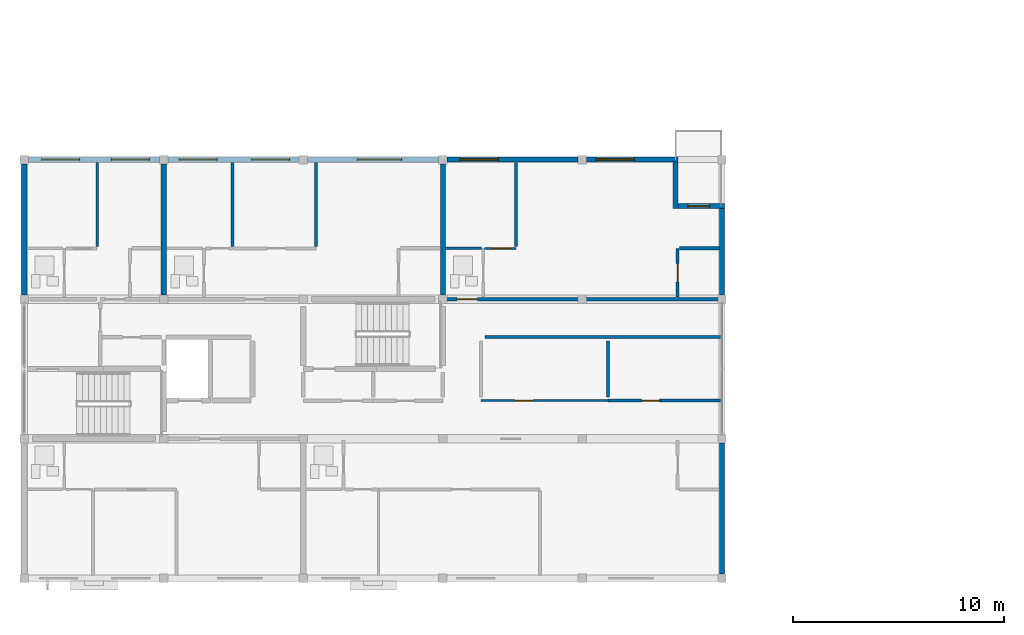
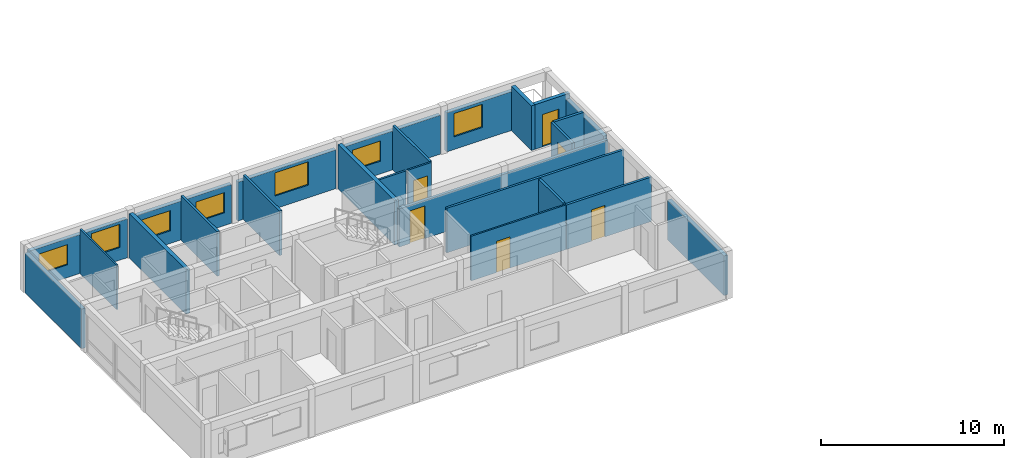
# One storey, part 10 of 15: 25 walls, 7 windows, 6 doors, 13 openings.
"""IFC4 building model written with IfcOpenShell, lengths in metres."""

from ifc_helpers import new_model, si_unit, direction, frame, frame_2d, origin, place, context, subcontext, project, spatial, rectangle, extrude, material, layer, layer_set, type_object, element, fill, save


model = new_model("IFC4")

# Units and contexts
model_context = context("Model", 3, precision=1e-05, world=origin(), true_north=direction((0.0, 1.0)))
body_context = subcontext(model_context, "Body", "Model", "MODEL_VIEW")
ifc_project = project(units=[si_unit("LENGTHUNIT", "METRE"), si_unit("AREAUNIT", "SQUARE_METRE"), si_unit("VOLUMEUNIT", "CUBIC_METRE"), si_unit("PLANEANGLEUNIT", "RADIAN"), si_unit("MASSUNIT", "GRAM", prefix="KILO")], contexts=[model_context])

# Site, building, storey
site_placement = place(None, origin())
site = spatial("IfcSite", under=ifc_project, at=site_placement, CompositionType="ELEMENT")
building_placement = place(site_placement, origin())
building = spatial("IfcBuilding", under=site, at=building_placement, Name="Kernevlak Ridge Housing Community", CompositionType="ELEMENT")
storey_placement = place(building_placement, frame((0.0, 0.0, 50.0)))
storey = spatial("IfcBuildingStorey", under=building, at=storey_placement, Name="L15", CompositionType="ELEMENT", Elevation=50.0)

# Wall, openings, windows
ifc_material_1 = material(Name="Concrete block masonry M10", Category="masonry")
ifc_layer_1 = layer(ifc_material_1, 0.239990234375, Name="Concrete block masonry M10")
ifc_layer_set_1 = layer_set([ifc_layer_1], Name="Concrete block masonry M10")
wall_type_1 = type_object("IfcWallType", Name="EW-06", PredefinedType="STANDARD", material=ifc_layer_set_1)
wall_1_placement = place(storey_placement, frame((15.800048828125, 95.800048828125, 0.0), z_axis=(0.0, 0.0, 1.0), x_axis=(1.0, 0.0, 0.0)))
wall_1 = element("IfcWall", 1, at=wall_1_placement, inside=storey, type_object=wall_type_1, Name="Exterior wall EW-06 L15 242", PredefinedType="STANDARD", context=body_context, shape_type="SweptSolid", body=[
    extrude(rectangle(XDim=6.199951171875, YDim=0.239990234375, at=frame_2d((3.10009765625, 0.0))), origin(), (0.0, 0.0, 1.0), 2.60009765625),
])
opening_1_placement = place(wall_1_placement, frame((0.625, 0.0, 0.85009765625)))
opening_1 = element("IfcOpeningElement", 2, at=opening_1_placement, cuts=wall_1, Name="Opening WT-03", PredefinedType="OPENING", context=body_context, shape_type="SweptSolid", body=[
    extrude(rectangle(XDim=1.800048828125, YDim=1.35009765625, at=frame_2d((0.89990234375, 0.675048828125))), frame((0.0, 0.1298828125, 0.0), z_axis=(0.0, -1.0, 0.0), x_axis=(1.0, 0.0, 0.0)), (0.0, 0.0, 1.0), 0.260009765625),
])
opening_2_placement = place(wall_1_placement, frame((3.925048828125, 0.0, 0.85009765625)))
opening_2 = element("IfcOpeningElement", 3, at=opening_2_placement, cuts=wall_1, Name="Opening WT-04", PredefinedType="OPENING", context=body_context, shape_type="SweptSolid", body=[
    extrude(rectangle(XDim=1.800048828125, YDim=1.550048828125, at=frame_2d((0.89990234375, 0.77490234375))), frame((0.0, 0.1298828125, 0.0), z_axis=(0.0, -1.0, 0.0), x_axis=(1.0, 0.0, 0.0)), (0.0, 0.0, 1.0), 0.260009765625),
])
ifc_material_2 = material(Name="Aluminium EN AW-6060 anodised and laminated glass", Category="aluminium")
window_type_1 = type_object("IfcWindowType", Name="WT-03", PartitioningType="SINGLE_PANEL", PredefinedType="WINDOW", material=ifc_material_2)
window_1_placement = place(opening_1_placement, origin())
window_1 = element("IfcWindow", 4, at=window_1_placement, inside=storey, type_object=window_type_1, Name="Window WT-03 L15 193", OverallHeight=1.35009765625, OverallWidth=1.800048828125, PartitioningType="SINGLE_PANEL", PredefinedType="WINDOW", context=body_context, shape_type="SweptSolid", body=[
    extrude(rectangle(XDim=1.800048828125, YDim=1.35009765625, at=frame_2d((0.89990234375, 0.675048828125))), frame((0.0, 0.030029296875, 0.0), z_axis=(0.0, -1.0, 0.0), x_axis=(1.0, 0.0, 0.0)), (0.0, 0.0, 1.0), 0.06005859375),
])
fill(opening_1, window_1)
window_type_2 = type_object("IfcWindowType", Name="WT-04", PartitioningType="SINGLE_PANEL", PredefinedType="WINDOW", material=ifc_material_2)
window_2_placement = place(opening_2_placement, origin())
window_2 = element("IfcWindow", 5, at=window_2_placement, inside=storey, type_object=window_type_2, Name="Window WT-04 L15 194", OverallHeight=1.550048828125, OverallWidth=1.800048828125, PartitioningType="SINGLE_PANEL", PredefinedType="WINDOW", context=body_context, shape_type="SweptSolid", body=[
    extrude(rectangle(XDim=1.800048828125, YDim=1.550048828125, at=frame_2d((0.89990234375, 0.77490234375))), frame((0.0, 0.030029296875, 0.0), z_axis=(0.0, -1.0, 0.0), x_axis=(1.0, 0.0, 0.0)), (0.0, 0.0, 1.0), 0.06005859375),
])
fill(opening_2, window_2)

wall_2_placement = place(storey_placement, frame((22.39990234375, 95.800048828125, 0.0), z_axis=(0.0, 0.0, 1.0), x_axis=(1.0, 0.0, 0.0)))
wall_2 = element("IfcWall", 6, at=wall_2_placement, inside=storey, type_object=wall_type_1, Name="Exterior wall EW-06 L15 243", PredefinedType="STANDARD", context=body_context, shape_type="SweptSolid", body=[
    extrude(rectangle(XDim=6.2001953125, YDim=0.239990234375, at=frame_2d((3.10009765625, 0.0))), origin(), (0.0, 0.0, 1.0), 2.60009765625),
])
opening_3_placement = place(wall_2_placement, frame((0.52490234375, 0.0, 0.85009765625)))
opening_3 = element("IfcOpeningElement", 7, at=opening_3_placement, cuts=wall_2, Name="Opening WT-03", PredefinedType="OPENING", context=body_context, shape_type="SweptSolid", body=[
    extrude(rectangle(XDim=1.800048828125, YDim=1.35009765625, at=frame_2d((0.89990234375, 0.675048828125))), frame((0.0, 0.1298828125, 0.0), z_axis=(0.0, -1.0, 0.0), x_axis=(1.0, 0.0, 0.0)), (0.0, 0.0, 1.0), 0.260009765625),
])
opening_4_placement = place(wall_2_placement, frame((3.949951171875, 0.0, 0.85009765625)))
opening_4 = element("IfcOpeningElement", 8, at=opening_4_placement, cuts=wall_2, Name="Opening WT-03", PredefinedType="OPENING", context=body_context, shape_type="SweptSolid", body=[
    extrude(rectangle(XDim=1.800048828125, YDim=1.35009765625, at=frame_2d((0.89990234375, 0.675048828125))), frame((0.0, 0.1298828125, 0.0), z_axis=(0.0, -1.0, 0.0), x_axis=(1.0, 0.0, 0.0)), (0.0, 0.0, 1.0), 0.260009765625),
])
window_3_placement = place(opening_3_placement, origin())
window_3 = element("IfcWindow", 9, at=window_3_placement, inside=storey, type_object=window_type_1, Name="Window WT-03 L15 195", OverallHeight=1.35009765625, OverallWidth=1.800048828125, PartitioningType="SINGLE_PANEL", PredefinedType="WINDOW", context=body_context, shape_type="SweptSolid", body=[
    extrude(rectangle(XDim=1.800048828125, YDim=1.35009765625, at=frame_2d((0.89990234375, 0.675048828125))), frame((0.0, 0.030029296875, 0.0), z_axis=(0.0, -1.0, 0.0), x_axis=(1.0, 0.0, 0.0)), (0.0, 0.0, 1.0), 0.06005859375),
])
fill(opening_3, window_3)
window_4_placement = place(opening_4_placement, origin())
window_4 = element("IfcWindow", 10, at=window_4_placement, inside=storey, type_object=window_type_1, Name="Window WT-03 L15 196", OverallHeight=1.35009765625, OverallWidth=1.800048828125, PartitioningType="SINGLE_PANEL", PredefinedType="WINDOW", context=body_context, shape_type="SweptSolid", body=[
    extrude(rectangle(XDim=1.800048828125, YDim=1.35009765625, at=frame_2d((0.89990234375, 0.675048828125))), frame((0.0, 0.030029296875, 0.0), z_axis=(0.0, -1.0, 0.0), x_axis=(1.0, 0.0, 0.0)), (0.0, 0.0, 1.0), 0.06005859375),
])
fill(opening_4, window_4)

# Wall, opening, window
wall_3_placement = place(storey_placement, frame((29.0, 95.800048828125, 0.0), z_axis=(0.0, 0.0, 1.0), x_axis=(1.0, 0.0, 0.0)))
wall_3 = element("IfcWall", 11, at=wall_3_placement, inside=storey, type_object=wall_type_1, Name="Exterior wall EW-06 L15 244", PredefinedType="STANDARD", context=body_context, shape_type="SweptSolid", body=[
    extrude(rectangle(XDim=6.199951171875, YDim=0.239990234375, at=frame_2d((3.10009765625, 0.0))), origin(), (0.0, 0.0, 1.0), 2.60009765625),
])
opening_5_placement = place(wall_3_placement, frame((2.345947265625, 0.0, 0.85009765625)))
opening_5 = element("IfcOpeningElement", 12, at=opening_5_placement, cuts=wall_3, Name="Opening WT-05", PredefinedType="OPENING", context=body_context, shape_type="SweptSolid", body=[
    extrude(rectangle(XDim=2.10009765625, YDim=1.550048828125, at=frame_2d((1.050048828125, 0.77490234375))), frame((0.0, 0.1298828125, 0.0), z_axis=(0.0, -1.0, 0.0), x_axis=(1.0, 0.0, 0.0)), (0.0, 0.0, 1.0), 0.260009765625),
])
window_type_3 = type_object("IfcWindowType", Name="WT-05", PartitioningType="SINGLE_PANEL", PredefinedType="WINDOW", material=ifc_material_2)
window_5_placement = place(opening_5_placement, origin())
window_5 = element("IfcWindow", 13, at=window_5_placement, inside=storey, type_object=window_type_3, Name="Window WT-05 L15 197", OverallHeight=1.550048828125, OverallWidth=2.10009765625, PartitioningType="SINGLE_PANEL", PredefinedType="WINDOW", context=body_context, shape_type="SweptSolid", body=[
    extrude(rectangle(XDim=2.10009765625, YDim=1.550048828125, at=frame_2d((1.050048828125, 0.77490234375))), frame((0.0, 0.030029296875, 0.0), z_axis=(0.0, -1.0, 0.0), x_axis=(1.0, 0.0, 0.0)), (0.0, 0.0, 1.0), 0.06005859375),
])
fill(opening_5, window_5)

wall_4_placement = place(storey_placement, frame((35.60009765625, 95.800048828125, 0.0), z_axis=(0.0, 0.0, 1.0), x_axis=(1.0, 0.0, 0.0)))
wall_4 = element("IfcWall", 14, at=wall_4_placement, inside=storey, type_object=wall_type_1, Name="Exterior wall EW-06 L15 245", PredefinedType="STANDARD", context=body_context, shape_type="SweptSolid", body=[
    extrude(rectangle(XDim=6.199951171875, YDim=0.239990234375, at=frame_2d((3.10009765625, 0.0))), origin(), (0.0, 0.0, 1.0), 2.60009765625),
])
opening_6_placement = place(wall_4_placement, frame((0.625, 0.0, 0.85009765625)))
opening_6 = element("IfcOpeningElement", 15, at=opening_6_placement, cuts=wall_4, Name="Opening WT-03", PredefinedType="OPENING", context=body_context, shape_type="SweptSolid", body=[
    extrude(rectangle(XDim=1.800048828125, YDim=1.35009765625, at=frame_2d((0.89990234375, 0.675048828125))), frame((0.0, 0.1298828125, 0.0), z_axis=(0.0, -1.0, 0.0), x_axis=(1.0, 0.0, 0.0)), (0.0, 0.0, 1.0), 0.260009765625),
])
window_6_placement = place(opening_6_placement, origin())
window_6 = element("IfcWindow", 16, at=window_6_placement, inside=storey, type_object=window_type_1, Name="Window WT-03 L15 198", OverallHeight=1.35009765625, OverallWidth=1.800048828125, PartitioningType="SINGLE_PANEL", PredefinedType="WINDOW", context=body_context, shape_type="SweptSolid", body=[
    extrude(rectangle(XDim=1.800048828125, YDim=1.35009765625, at=frame_2d((0.89990234375, 0.675048828125))), frame((0.0, 0.030029296875, 0.0), z_axis=(0.0, -1.0, 0.0), x_axis=(1.0, 0.0, 0.0)), (0.0, 0.0, 1.0), 0.06005859375),
])
fill(opening_6, window_6)

wall_5_placement = place(storey_placement, frame((42.199951171875, 95.800048828125, 0.0), z_axis=(0.0, 0.0, 1.0), x_axis=(1.0, 0.0, 0.0)))
wall_5 = element("IfcWall", 17, at=wall_5_placement, inside=storey, type_object=wall_type_1, Name="Exterior wall EW-06 L15 246", PredefinedType="STANDARD", context=body_context, shape_type="SweptSolid", body=[
    extrude(rectangle(XDim=4.320068359375, YDim=0.239990234375, at=frame_2d((2.16015625, 0.0))), origin(), (0.0, 0.0, 1.0), 2.60009765625),
])
opening_7_placement = place(wall_5_placement, frame((0.449951171875, 0.0, 0.85009765625)))
opening_7 = element("IfcOpeningElement", 18, at=opening_7_placement, cuts=wall_5, Name="Opening WT-04", PredefinedType="OPENING", context=body_context, shape_type="SweptSolid", body=[
    extrude(rectangle(XDim=1.800048828125, YDim=1.550048828125, at=frame_2d((0.89990234375, 0.77490234375))), frame((0.0, 0.1298828125, 0.0), z_axis=(0.0, -1.0, 0.0), x_axis=(1.0, 0.0, 0.0)), (0.0, 0.0, 1.0), 0.260009765625),
])
window_7_placement = place(opening_7_placement, origin())
window_7 = element("IfcWindow", 19, at=window_7_placement, inside=storey, type_object=window_type_2, Name="Window WT-04 L15 199", OverallHeight=1.550048828125, OverallWidth=1.800048828125, PartitioningType="SINGLE_PANEL", PredefinedType="WINDOW", context=body_context, shape_type="SweptSolid", body=[
    extrude(rectangle(XDim=1.800048828125, YDim=1.550048828125, at=frame_2d((0.89990234375, 0.77490234375))), frame((0.0, 0.030029296875, 0.0), z_axis=(0.0, -1.0, 0.0), x_axis=(1.0, 0.0, 0.0)), (0.0, 0.0, 1.0), 0.06005859375),
])
fill(opening_7, window_7)

# Wall
wall_6_placement = place(storey_placement, frame((46.39990234375, 95.679931640625, 0.0), z_axis=(0.0, 0.0, 1.0), x_axis=(0.0, -1.0, 0.0)))
element("IfcWall", 20, at=wall_6_placement, inside=storey, type_object=wall_type_1, Name="Exterior wall EW-06 L15 247", PredefinedType="STANDARD", context=body_context, shape_type="SweptSolid", body=[
    extrude(rectangle(XDim=2.199951171875, YDim=0.239990234375, at=frame_2d((1.10009765625, 0.0))), origin(), (0.0, 0.0, 1.0), 2.97998046875),
])

# Wall, opening, door
wall_7_placement = place(storey_placement, frame((46.52001953125, 93.60009765625, 0.0), z_axis=(0.0, 0.0, 1.0), x_axis=(1.0, 0.0, 0.0)))
wall_7 = element("IfcWall", 21, at=wall_7_placement, inside=storey, type_object=wall_type_1, Name="Exterior wall EW-06 L15 248", PredefinedType="STANDARD", context=body_context, shape_type="SweptSolid", body=[
    extrude(rectangle(XDim=2.199951171875, YDim=0.239990234375, at=frame_2d((1.10009765625, 0.0))), origin(), (0.0, 0.0, 1.0), 2.97998046875),
])
opening_8_placement = place(wall_7_placement, frame((0.469970703125, 0.0, 0.0)))
opening_8 = element("IfcOpeningElement", 22, at=opening_8_placement, cuts=wall_7, Name="Opening D510", PredefinedType="OPENING", context=body_context, shape_type="SweptSolid", body=[
    extrude(rectangle(XDim=1.02001953125, YDim=2.159912109375, at=frame_2d((0.510009765625, 1.080078125))), frame((0.0, 0.1298828125, 0.0), z_axis=(0.0, -1.0, 0.0), x_axis=(1.0, 0.0, 0.0)), (0.0, 0.0, 1.0), 0.260009765625),
])
ifc_material_3 = material(Name="Aluminium EN AW-6060 and laminated safety glass", Category="aluminium")
door_type_1 = type_object("IfcDoorType", Name="DT-33", OperationType="NOTDEFINED", PredefinedType="DOOR", material=ifc_material_3)
door_1_placement = place(opening_8_placement, origin())
door_1 = element("IfcDoor", 23, at=door_1_placement, inside=storey, type_object=door_type_1, Name="Flat A1523 corner balcony glazed door D510", OperationType="SINGLE_SWING_RIGHT", OverallHeight=2.159912109375, OverallWidth=1.02001953125, PredefinedType="DOOR", context=body_context, shape_type="SweptSolid", body=[
    extrude(rectangle(XDim=1.02001953125, YDim=2.159912109375, at=frame_2d((0.510009765625, 1.080078125))), frame((0.0, 0.02490234375, 0.0), z_axis=(0.0, -1.0, 0.0), x_axis=(1.0, 0.0, 0.0)), (0.0, 0.0, 1.0), 0.050048828125),
])
fill(opening_8, door_1)

# Walls
wall_8_placement = place(storey_placement, frame((15.60009765625, 89.39990234375, 0.0), z_axis=(0.0, 0.0, 1.0), x_axis=(0.0, 1.0, 0.0)))
element("IfcWall", 24, at=wall_8_placement, inside=storey, type_object=wall_type_1, Name="Exterior wall EW-06 L15 250", PredefinedType="STANDARD", context=body_context, shape_type="SweptSolid", body=[
    extrude(rectangle(XDim=6.2001953125, YDim=0.239990234375, at=frame_2d((3.10009765625, 0.0))), origin(), (0.0, 0.0, 1.0), 2.64990234375),
])
wall_9_placement = place(storey_placement, frame((48.60009765625, 76.199951171875, 0.0), z_axis=(0.0, 0.0, 1.0), x_axis=(0.0, 1.0, 0.0)))
element("IfcWall", 25, at=wall_9_placement, inside=storey, type_object=wall_type_1, Name="Exterior wall EW-06 L15 251", PredefinedType="STANDARD", context=body_context, shape_type="SweptSolid", body=[
    extrude(rectangle(XDim=6.199951171875, YDim=0.239990234375, at=frame_2d((3.10009765625, 0.0))), origin(), (0.0, 0.0, 1.0), 2.64990234375),
])
wall_10_placement = place(storey_placement, frame((48.60009765625, 89.39990234375, 0.0), z_axis=(0.0, 0.0, 1.0), x_axis=(0.0, 1.0, 0.0)))
element("IfcWall", 26, at=wall_10_placement, inside=storey, type_object=wall_type_1, Name="Exterior wall EW-06 L15 252", PredefinedType="STANDARD", context=body_context, shape_type="SweptSolid", body=[
    extrude(rectangle(XDim=4.080078125, YDim=0.239990234375, at=frame_2d((2.0400390625, 0.0))), origin(), (0.0, 0.0, 1.0), 2.64990234375),
])

# Wall, opening, door
ifc_layer_2 = layer(ifc_material_1, 0.175048828125, Name="Concrete block masonry M10")
ifc_layer_set_2 = layer_set([ifc_layer_2], Name="Concrete block masonry M10")
wall_type_2 = type_object("IfcWallType", Name="PW-02", PredefinedType="PARTITIONING", material=ifc_layer_set_2)
wall_11_placement = place(storey_placement, frame((35.39990234375, 89.199951171875, 0.0), z_axis=(0.0, 0.0, 1.0), x_axis=(1.0, 0.0, 0.0)))
wall_11 = element("IfcWall", 27, at=wall_11_placement, inside=storey, type_object=wall_type_2, Name="Interior wall PW-02 WAL-INT-L15-1001", PredefinedType="PARTITIONING", context=body_context, shape_type="SweptSolid", body=[
    extrude(rectangle(XDim=13.2001953125, YDim=0.175048828125, at=frame_2d((6.60009765625, 0.0))), origin(), (0.0, 0.0, 1.0), 2.550048828125),
])
opening_9_placement = place(wall_11_placement, frame((0.669921875, 0.0, 0.0)))
opening_9 = element("IfcOpeningElement", 28, at=opening_9_placement, cuts=wall_11, Name="Opening D506", PredefinedType="OPENING", context=body_context, shape_type="SweptSolid", body=[
    extrude(rectangle(XDim=0.9599609375, YDim=2.179931640625, at=frame_2d((0.47998046875, 1.08984375))), frame((0.0, 0.097412109375, 0.0), z_axis=(0.0, -1.0, 0.0), x_axis=(1.0, 0.0, 0.0)), (0.0, 0.0, 1.0), 0.195068359375),
])
ifc_material_4 = material(Name="Hardwood timber solid-core fire leaf", Category="wood")
door_type_2 = type_object("IfcDoorType", Name="DT-29", OperationType="NOTDEFINED", PredefinedType="DOOR", material=ifc_material_4)
door_2_placement = place(opening_9_placement, origin())
door_2 = element("IfcDoor", 29, at=door_2_placement, inside=storey, type_object=door_type_2, Name="Flat A1523 entrance fire door D506", OperationType="SINGLE_SWING_RIGHT", OverallHeight=2.179931640625, OverallWidth=0.9599609375, PredefinedType="DOOR", context=body_context, shape_type="SweptSolid", body=[
    extrude(rectangle(XDim=0.9599609375, YDim=2.179931640625, at=frame_2d((0.47998046875, 1.08984375))), frame((0.0, 0.02490234375, 0.0), z_axis=(0.0, -1.0, 0.0), x_axis=(1.0, 0.0, 0.0)), (0.0, 0.0, 1.0), 0.050048828125),
])
fill(opening_9, door_2)

ifc_layer_3 = layer(ifc_material_1, 0.14501953125, Name="Concrete block masonry M10")
ifc_layer_set_3 = layer_set([ifc_layer_3], Name="Concrete block masonry M10")
wall_type_3 = type_object("IfcWallType", Name="PW-03", PredefinedType="PARTITIONING", material=ifc_layer_set_3)
wall_12_placement = place(storey_placement, frame((43.199951171875, 84.39990234375, 0.0), z_axis=(0.0, 0.0, 1.0), x_axis=(1.0, 0.0, 0.0)))
wall_12 = element("IfcWall", 30, at=wall_12_placement, inside=storey, type_object=wall_type_3, Name="Interior wall PW-03 WAL-INT-L15-0962", PredefinedType="PARTITIONING", context=body_context, shape_type="SweptSolid", body=[
    extrude(rectangle(XDim=5.400146484375, YDim=0.14501953125, at=frame_2d((2.7001953125, 0.0))), origin(), (0.0, 0.0, 1.0), 2.97998046875),
])
opening_10_placement = place(wall_12_placement, frame((1.60009765625, 0.0, 0.0)))
opening_10 = element("IfcOpeningElement", 31, at=opening_10_placement, cuts=wall_12, Name="Opening D486", PredefinedType="OPENING", context=body_context, shape_type="SweptSolid", body=[
    extrude(rectangle(XDim=0.85009765625, YDim=2.10009765625, at=frame_2d((0.425048828125, 1.050048828125))), frame((0.0, 0.08251953125, 0.0), z_axis=(0.0, -1.0, 0.0), x_axis=(1.0, 0.0, 0.0)), (0.0, 0.0, 1.0), 0.1650390625),
])
ifc_material_5 = material(Name="Hardwood timber leaf", Category="wood")
door_type_3 = type_object("IfcDoorType", Name="DT-03", OperationType="NOTDEFINED", PredefinedType="DOOR", material=ifc_material_5)
door_3_placement = place(opening_10_placement, origin())
door_3 = element("IfcDoor", 32, at=door_3_placement, inside=storey, type_object=door_type_3, Name="Block A Study room door D486", OperationType="SINGLE_SWING_RIGHT", OverallHeight=2.10009765625, OverallWidth=0.85009765625, PredefinedType="DOOR", context=body_context, shape_type="SweptSolid", body=[
    extrude(rectangle(XDim=0.85009765625, YDim=2.10009765625, at=frame_2d((0.425048828125, 1.050048828125))), frame((0.0, 0.02490234375, 0.0), z_axis=(0.0, -1.0, 0.0), x_axis=(1.0, 0.0, 0.0)), (0.0, 0.0, 1.0), 0.050048828125),
])
fill(opening_10, door_3)

# Walls
wall_13_placement = place(storey_placement, frame((43.199951171875, 84.580078125, 0.0), z_axis=(0.0, 0.0, 1.0), x_axis=(0.0, 1.0, 0.0)))
element("IfcWall", 33, at=wall_13_placement, inside=storey, type_object=wall_type_3, Name="Interior wall PW-03 WAL-INT-L15-0963", PredefinedType="PARTITIONING", context=body_context, shape_type="SweptSolid", body=[
    extrude(rectangle(XDim=2.639892578125, YDim=0.14501953125, at=frame_2d((1.31982421875, 0.0))), origin(), (0.0, 0.0, 1.0), 2.97998046875),
])
wall_14_placement = place(storey_placement, frame((37.3798828125, 87.39990234375, 0.0), z_axis=(0.0, 0.0, 1.0), x_axis=(1.0, 0.0, 0.0)))
element("IfcWall", 34, at=wall_14_placement, inside=storey, type_object=wall_type_3, Name="Interior wall PW-03 WAL-INT-L15-0964", PredefinedType="PARTITIONING", context=body_context, shape_type="SweptSolid", body=[
    extrude(rectangle(XDim=11.2001953125, YDim=0.14501953125, at=frame_2d((5.60009765625, 0.0))), origin(), (0.0, 0.0, 1.0), 2.97998046875),
])
for number, where, z_axis, x_axis, name in (
    (35, (25.449951171875, 91.6826171875, 0.0), (0.0, 0.0, 1.0), (0.0, 1.0, 0.0), "Interior wall PW-03 WAL-INT-L15-0998"),
    (36, (29.39208984375, 91.6826171875, 0.0), (0.0, 0.0, 1.0), (0.0, 1.0, 0.0), "Interior wall PW-03 WAL-INT-L15-1000"),
):
    element("IfcWall", number, at=place(storey_placement, frame(where, z_axis=z_axis, x_axis=x_axis)), inside=storey, type_object=wall_type_3, Name=name, PredefinedType="PARTITIONING", context=body_context, shape_type="SweptSolid", body=[
        extrude(rectangle(XDim=3.9873046875, YDim=0.14501953125, at=frame_2d((1.99365234375, 0.0))), origin(), (0.0, 0.0, 1.0), 2.97998046875),
    ])
wall_15_placement = place(storey_placement, frame((38.85009765625, 91.679931640625, 0.0), z_axis=(0.0, 0.0, 1.0), x_axis=(0.0, 1.0, 0.0)))
element("IfcWall", 37, at=wall_15_placement, inside=storey, type_object=wall_type_3, Name="Interior wall PW-03 WAL-INT-L15-1007", PredefinedType="PARTITIONING", context=body_context, shape_type="SweptSolid", body=[
    extrude(rectangle(XDim=3.989990234375, YDim=0.14501953125, at=frame_2d((1.9951171875, 0.0))), origin(), (0.0, 0.0, 1.0), 2.97998046875),
])
ifc_material_6 = material(Name="Gypsum plasterboard EN 520", Category="gypsum")
ifc_layer_4 = layer(ifc_material_6, 0.125, Name="Gypsum plasterboard EN 520")
ifc_layer_set_4 = layer_set([ifc_layer_4], Name="Gypsum plasterboard EN 520")
wall_type_4 = type_object("IfcWallType", Name="PW-04", PredefinedType="PARTITIONING", material=ifc_layer_set_4)
wall_16_placement = place(storey_placement, frame((35.534912109375, 91.60009765625, 0.0), z_axis=(0.0, 0.0, 1.0), x_axis=(1.0, 0.0, 0.0)))
element("IfcWall", 38, at=wall_16_placement, inside=storey, type_object=wall_type_4, Name="Interior wall PW-04 WAL-INT-L15-1003", PredefinedType="PARTITIONING", context=body_context, shape_type="SweptSolid", body=[
    extrude(rectangle(XDim=1.68505859375, YDim=0.125, at=frame_2d((0.842529296875, 0.0))), origin(), (0.0, 0.0, 1.0), 2.97998046875),
])

# Wall, opening, door
ifc_layer_5 = layer(ifc_material_6, 0.155029296875, Name="Gypsum plasterboard EN 520")
ifc_layer_set_5 = layer_set([ifc_layer_5], Name="Gypsum plasterboard EN 520")
wall_type_5 = type_object("IfcWallType", Name="PW-05", PredefinedType="PARTITIONING", material=ifc_layer_set_5)
wall_17_placement = place(storey_placement, frame((46.5, 89.297607421875, 0.0), z_axis=(0.0, 0.0, 1.0), x_axis=(0.0, 1.0, 0.0)))
wall_17 = element("IfcWall", 39, at=wall_17_placement, inside=storey, type_object=wall_type_5, Name="Interior wall PW-05 WAL-INT-L15-1004", PredefinedType="PARTITIONING", context=body_context, shape_type="SweptSolid", body=[
    extrude(rectangle(XDim=2.302490234375, YDim=0.155029296875, at=frame_2d((1.1513671875, 0.0))), origin(), (0.0, 0.0, 1.0), 2.97998046875),
])
opening_11_placement = place(wall_17_placement, frame((0.699951171875, 0.0, 0.0)))
opening_11 = element("IfcOpeningElement", 40, at=opening_11_placement, cuts=wall_17, Name="Opening D508", PredefinedType="OPENING", context=body_context, shape_type="SweptSolid", body=[
    extrude(rectangle(XDim=0.8798828125, YDim=2.10009765625, at=frame_2d((0.43994140625, 1.050048828125))), frame((0.0, 0.08740234375, 0.0), z_axis=(0.0, -1.0, 0.0), x_axis=(1.0, 0.0, 0.0)), (0.0, 0.0, 1.0), 0.175048828125),
])
door_type_4 = type_object("IfcDoorType", Name="DT-25", OperationType="NOTDEFINED", PredefinedType="DOOR", material=ifc_material_5)
door_4_placement = place(opening_11_placement, origin())
door_4 = element("IfcDoor", 41, at=door_4_placement, inside=storey, type_object=door_type_4, Name="Flat A1523 kitchen door D508", OperationType="SINGLE_SWING_RIGHT", OverallHeight=2.10009765625, OverallWidth=0.8798828125, PredefinedType="DOOR", context=body_context, shape_type="SweptSolid", body=[
    extrude(rectangle(XDim=0.8798828125, YDim=2.10009765625, at=frame_2d((0.43994140625, 1.050048828125))), frame((0.0, 0.02490234375, 0.0), z_axis=(0.0, -1.0, 0.0), x_axis=(1.0, 0.0, 0.0)), (0.0, 0.0, 1.0), 0.050048828125),
])
fill(opening_11, door_4)

# Wall
wall_18_placement = place(storey_placement, frame((46.58740234375, 91.60009765625, 0.0), z_axis=(0.0, 0.0, 1.0), x_axis=(1.0, 0.0, 0.0)))
element("IfcWall", 42, at=wall_18_placement, inside=storey, type_object=wall_type_5, Name="Interior wall PW-05 WAL-INT-L15-1005", PredefinedType="PARTITIONING", context=body_context, shape_type="SweptSolid", body=[
    extrude(rectangle(XDim=1.882568359375, YDim=0.155029296875, at=frame_2d((0.94140625, 0.0))), origin(), (0.0, 0.0, 1.0), 2.97998046875),
])

# Wall, opening, door
ifc_layer_6 = layer(ifc_material_6, 0.10498046875, Name="Gypsum plasterboard EN 520")
ifc_layer_set_6 = layer_set([ifc_layer_6], Name="Gypsum plasterboard EN 520")
wall_type_6 = type_object("IfcWallType", Name="PW-06", PredefinedType="PARTITIONING", material=ifc_layer_set_6)
wall_19_placement = place(storey_placement, frame((37.199951171875, 84.39990234375, 0.0), z_axis=(0.0, 0.0, 1.0), x_axis=(1.0, 0.0, 0.0)))
wall_19 = element("IfcWall", 43, at=wall_19_placement, inside=storey, type_object=wall_type_6, Name="Interior wall PW-06 WAL-INT-L15-0961", PredefinedType="PARTITIONING", context=body_context, shape_type="SweptSolid", body=[
    extrude(rectangle(XDim=6.0, YDim=0.10498046875, at=frame_2d((3.0, 0.0))), origin(), (0.0, 0.0, 1.0), 2.97998046875),
])
opening_12_placement = place(wall_19_placement, frame((1.60009765625, 0.0, 0.0)))
opening_12 = element("IfcOpeningElement", 44, at=opening_12_placement, cuts=wall_19, Name="Opening D485", PredefinedType="OPENING", context=body_context, shape_type="SweptSolid", body=[
    extrude(rectangle(XDim=0.8701171875, YDim=2.080078125, at=frame_2d((0.43505859375, 1.0400390625))), frame((0.0, 0.0625, 0.0), z_axis=(0.0, -1.0, 0.0), x_axis=(1.0, 0.0, 0.0)), (0.0, 0.0, 1.0), 0.125),
])
door_type_5 = type_object("IfcDoorType", Name="DT-32", OperationType="NOTDEFINED", PredefinedType="DOOR", material=ifc_material_5)
door_5_placement = place(opening_12_placement, origin())
door_5 = element("IfcDoor", 45, at=door_5_placement, inside=storey, type_object=door_type_5, Name="Block A Laundry room door D485", OperationType="SINGLE_SWING_LEFT", OverallHeight=2.080078125, OverallWidth=0.8701171875, PredefinedType="DOOR", context=body_context, shape_type="SweptSolid", body=[
    extrude(rectangle(XDim=0.8701171875, YDim=2.080078125, at=frame_2d((0.43505859375, 1.0400390625))), frame((0.0, 0.02490234375, 0.0), z_axis=(0.0, -1.0, 0.0), x_axis=(1.0, 0.0, 0.0)), (0.0, 0.0, 1.0), 0.050048828125),
])
fill(opening_12, door_5)

# Wall
wall_20_placement = place(storey_placement, frame((19.050048828125, 91.6826171875, 0.0), z_axis=(0.0, 0.0, 1.0), x_axis=(0.0, 1.0, 0.0)))
element("IfcWall", 46, at=wall_20_placement, inside=storey, type_object=wall_type_6, Name="Interior wall PW-06 WAL-INT-L15-0991", PredefinedType="PARTITIONING", context=body_context, shape_type="SweptSolid", body=[
    extrude(rectangle(XDim=3.9873046875, YDim=0.10498046875, at=frame_2d((1.99365234375, 0.0))), origin(), (0.0, 0.0, 1.0), 2.97998046875),
])

# Wall, opening, door
wall_21_placement = place(storey_placement, frame((37.37255859375, 91.60009765625, 0.0), z_axis=(0.0, 0.0, 1.0), x_axis=(1.0, 0.0, 0.0)))
wall_21 = element("IfcWall", 47, at=wall_21_placement, inside=storey, type_object=wall_type_6, Name="Interior wall PW-06 WAL-INT-L15-1006", PredefinedType="PARTITIONING", context=body_context, shape_type="SweptSolid", body=[
    extrude(rectangle(XDim=1.4775390625, YDim=0.10498046875, at=frame_2d((0.73876953125, 0.0))), origin(), (0.0, 0.0, 1.0), 2.97998046875),
])
opening_13_placement = place(wall_21_placement, frame((0.35009765625, 0.0, 0.0)))
opening_13 = element("IfcOpeningElement", 48, at=opening_13_placement, cuts=wall_21, Name="Opening D509", PredefinedType="OPENING", context=body_context, shape_type="SweptSolid", body=[
    extrude(rectangle(XDim=0.8798828125, YDim=2.159912109375, at=frame_2d((0.43994140625, 1.080078125))), frame((0.0, 0.0625, 0.0), z_axis=(0.0, -1.0, 0.0), x_axis=(1.0, 0.0, 0.0)), (0.0, 0.0, 1.0), 0.125),
])
door_type_6 = type_object("IfcDoorType", Name="DT-26", OperationType="NOTDEFINED", PredefinedType="DOOR", material=ifc_material_5)
door_6_placement = place(opening_13_placement, origin())
door_6 = element("IfcDoor", 49, at=door_6_placement, inside=storey, type_object=door_type_6, Name="Flat A1523 bedroom door D509", OperationType="SINGLE_SWING_LEFT", OverallHeight=2.159912109375, OverallWidth=0.8798828125, PredefinedType="DOOR", context=body_context, shape_type="SweptSolid", body=[
    extrude(rectangle(XDim=0.8798828125, YDim=2.159912109375, at=frame_2d((0.43994140625, 1.080078125))), frame((0.0, 0.02490234375, 0.0), z_axis=(0.0, -1.0, 0.0), x_axis=(1.0, 0.0, 0.0)), (0.0, 0.0, 1.0), 0.050048828125),
])
fill(opening_13, door_6)

# Walls
ifc_material_7 = material(Name="Concrete C40/50", Category="concrete")
ifc_layer_7 = layer(ifc_material_7, 0.25, Name="Concrete C40/50")
ifc_layer_set_7 = layer_set([ifc_layer_7], Name="Concrete C40/50")
wall_type_7 = type_object("IfcWallType", Name="SW-03", PredefinedType="SHEAR", material=ifc_layer_set_7)
for number, where, z_axis, x_axis, name in (
    (50, (22.199951171875, 89.39990234375, 0.0), (0.0, 0.0, 1.0), (0.0, 1.0, 0.0), "Shear wall SW-03 Block A L15 169"),
    (51, (35.39990234375, 89.39990234375, 0.0), (0.0, 0.0, 1.0), (0.0, 1.0, 0.0), "Shear wall SW-03 Block A L15 170"),
):
    element("IfcWall", number, at=place(storey_placement, frame(where, z_axis=z_axis, x_axis=x_axis)), inside=storey, type_object=wall_type_7, Name=name, PredefinedType="SHEAR", context=body_context, shape_type="SweptSolid", body=[
        extrude(rectangle(XDim=6.2001953125, YDim=0.25, at=frame_2d((3.10009765625, 0.0))), origin(), (0.0, 0.0, 1.0), 2.97998046875),
    ])

save(model, "model.ifc")
